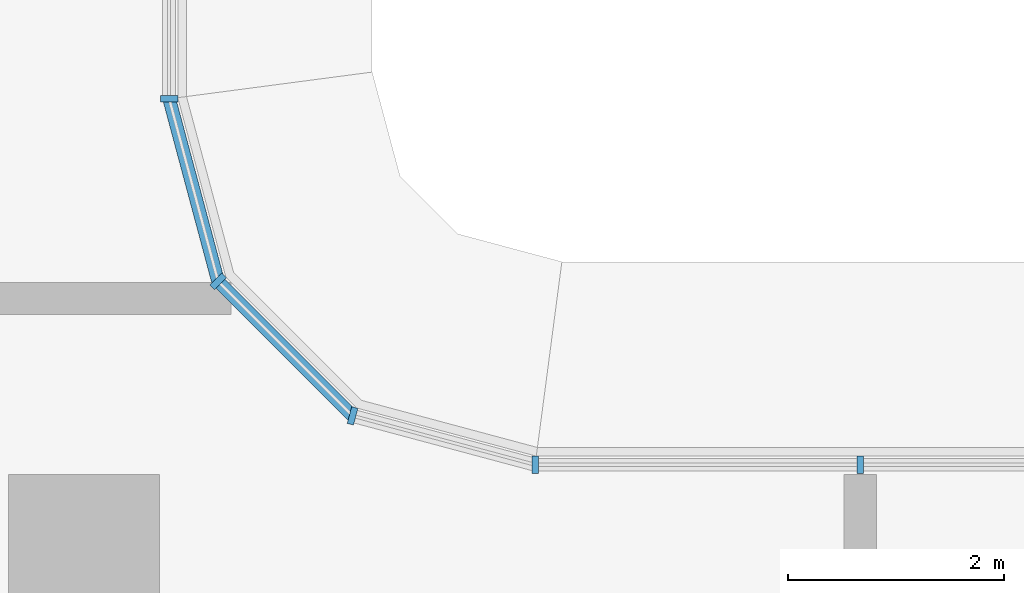
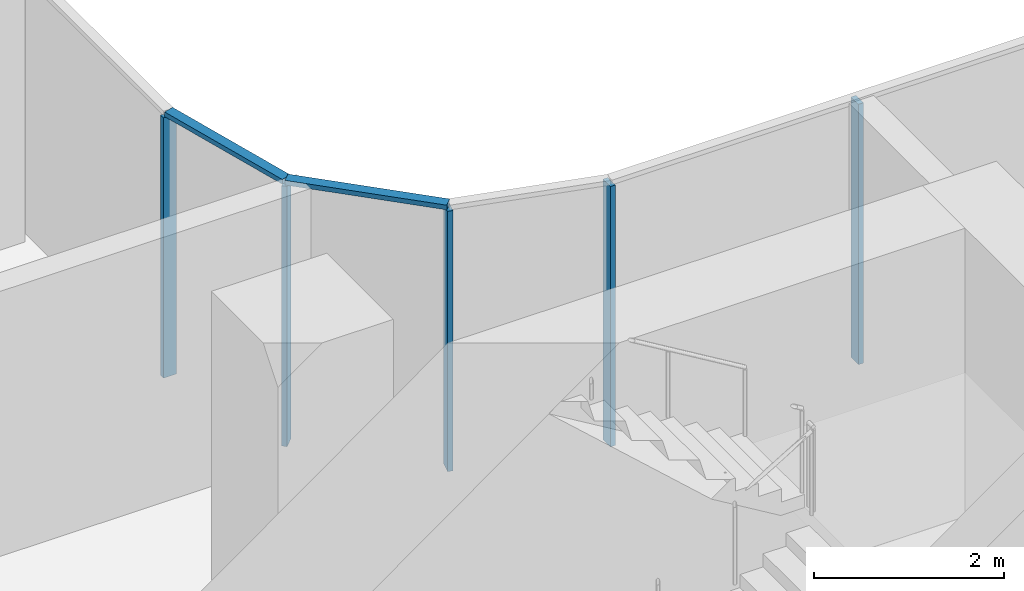
# One storey, part 2 of 36: 7 members, 3 elements without a shape of their own.
"""IFC4 building model written with IfcOpenShell, lengths in metres."""

import ifcopenshell
import ifcopenshell.guid

model = None  # the IFC model being written
_history = None  # IfcOwnerHistory: only IFC2X3 demands one
_inside = {}  # id of a spatial element -> (the spatial element, [elements in it])
_under = {}  # id of a project, library or spatial element -> (it, [spatial elements below it])
_declared = {}  # id of a project -> (the project, [libraries it declares])
_typed = {}  # id of a type object -> (the type object, [elements of that type])
_made_of = {}  # id of a material, layer set ... -> (it, [elements and type objects made of it])


def new_model(schema):
    """Start an empty IFC model of exactly this schema.

    Asked for "IFC4X3", IfcOpenShell would pick the latest addendum, in which some entities
    have other attributes; the version numbers below select the first issue.
    IFC2X3 requires an IfcOwnerHistory on every rooted entity: one is made here for all.
    """
    global model, _history
    if schema == "IFC4X3":
        model = ifcopenshell.file(schema_version=(4, 3, 0, 0))
    else:
        model = ifcopenshell.file(schema=schema)
    _inside.clear()
    _under.clear()
    _declared.clear()
    _typed.clear()
    _made_of.clear()
    _history = None
    if model.schema == "IFC2X3":
        org = make("IfcOrganization", Name="unknown")
        user = make(
            "IfcPersonAndOrganization",
            ThePerson=make("IfcPerson", FamilyName="unknown"),
            TheOrganization=org,
        )
        app = make(
            "IfcApplication",
            ApplicationDeveloper=org,
            Version="unknown",
            ApplicationFullName="unknown",
            ApplicationIdentifier="unknown",
        )
        _history = make(
            "IfcOwnerHistory",
            OwningUser=user,
            OwningApplication=app,
            ChangeAction="ADDED",
            CreationDate=0,
        )
    return model


def make(cls, **values):
    """One entity of the class cls with the attributes given. An attribute that is None is left unset."""
    return model.create_entity(
        cls, **{name: value for name, value in values.items() if value is not None}
    )


def rooted(cls, **values):
    """An entity with a GlobalId (a new one), such as an element, a storey or a relation."""
    return make(cls, GlobalId=ifcopenshell.guid.new(), OwnerHistory=_history, **values)


def si_unit(unit_type, name, prefix=None):
    """IfcSIUnit, for example si_unit("LENGTHUNIT", "METRE", prefix="MILLI")."""
    return make("IfcSIUnit", UnitType=unit_type, Prefix=prefix, Name=name)


def assignment(units):
    """IfcUnitAssignment: the units of a project."""
    return None if units is None else make("IfcUnitAssignment", Units=units)


def point(xyz):
    """IfcCartesianPoint."""
    return None if xyz is None else make("IfcCartesianPoint", Coordinates=xyz)


def direction(xyz):
    """IfcDirection."""
    return None if xyz is None else make("IfcDirection", DirectionRatios=xyz)


def frame(location, z_axis=None, x_axis=None):
    """IfcAxis2Placement3D, a coordinate frame: its origin and axes. An axis left out is left unset."""
    return make(
        "IfcAxis2Placement3D",
        Location=point(location),
        Axis=direction(z_axis),
        RefDirection=direction(x_axis),
    )


def frame_2d(location, x_axis=None):
    """IfcAxis2Placement2D, a coordinate frame in the plane: its origin and x axis."""
    return make(
        "IfcAxis2Placement2D", Location=point(location), RefDirection=direction(x_axis)
    )


def origin():
    """The frame at (0, 0, 0) with its axes left unset."""
    return frame((0.0, 0.0, 0.0))


def origin_2d():
    """The frame at (0, 0) in the plane with its x axis left unset."""
    return frame_2d((0.0, 0.0))


def place(relative_to, where):
    """IfcLocalPlacement: puts the frame where relative to a parent placement (None: the world)."""
    return make(
        "IfcLocalPlacement", PlacementRelTo=relative_to, RelativePlacement=where
    )


def context(
    kind, dimensions, precision=None, world=None, true_north=None, identifier=None
):
    """IfcGeometricRepresentationContext, for example the 3D "Model" context."""
    return make(
        "IfcGeometricRepresentationContext",
        ContextIdentifier=identifier,
        ContextType=kind,
        CoordinateSpaceDimension=dimensions,
        Precision=precision,
        WorldCoordinateSystem=world,
        TrueNorth=true_north,
    )


def subcontext(parent, identifier, kind, view, scale=None):
    """IfcGeometricRepresentationSubContext, for example "Body" below "Model"."""
    return make(
        "IfcGeometricRepresentationSubContext",
        ContextIdentifier=identifier,
        ContextType=kind,
        ParentContext=parent,
        TargetScale=scale,
        TargetView=view,
    )


def project(units=None, contexts=None):
    """IfcProject with its units and contexts."""
    return rooted(
        "IfcProject",
        Name="project",
        RepresentationContexts=contexts,
        UnitsInContext=assignment(units),
    )


def spatial(cls, under=None, at=None, **own):
    """A site, building, storey or space (cls), placed at a placement, below another one or the project."""
    s = rooted(cls, ObjectPlacement=at, **own)
    if under is not None:
        _under.setdefault(under.id(), (under, []))[1].append(s)
    return s


def profile(cls, at=None, kind="AREA", **sizes):
    """A parametric profile (cls). Its sizes go by their IFC names, for example OverallWidth=200.0."""
    return make(cls, ProfileType=kind, Position=at, **sizes)


def rectangle(**sizes):
    """IfcRectangleProfileDef."""
    return profile("IfcRectangleProfileDef", **sizes)


def extrude(swept, where, along, depth):
    """IfcExtrudedAreaSolid: the profile swept, set in the frame where, extruded along a direction by depth."""
    return make(
        "IfcExtrudedAreaSolid",
        SweptArea=swept,
        Position=where,
        ExtrudedDirection=direction(along),
        Depth=depth,
    )


def shape(context_of_items, identifier, shape_type, items):
    """IfcShapeRepresentation: the items that make up one representation, for example the "Body"."""
    return make(
        "IfcShapeRepresentation",
        ContextOfItems=context_of_items,
        RepresentationIdentifier=identifier,
        RepresentationType=shape_type,
        Items=items,
    )


def material(Name=None, Category=None):
    """IfcMaterial."""
    return make("IfcMaterial", Name=Name, Category=Category)


def material_profile(
    of_material, cross_section, Name=None, Category=None, Priority=None
):
    """IfcMaterialProfile: a cross section and its material."""
    return make(
        "IfcMaterialProfile",
        Name=Name,
        Material=of_material,
        Profile=cross_section,
        Priority=Priority,
        Category=Category,
    )


def profile_set(profiles, Name=None, composite=None):
    """IfcMaterialProfileSet."""
    return make(
        "IfcMaterialProfileSet",
        Name=Name,
        MaterialProfiles=profiles,
        CompositeProfile=composite,
    )


def made_of(thing, what):
    """Note that an element or type object is made of a material, layer set ...; save() writes the relation."""
    if what is not None:
        _made_of.setdefault(what.id(), (what, []))[1].append(thing)
    return thing


def type_object(cls, material=None, **own):
    """A type object (cls), such as IfcWallType, which elements share."""
    return made_of(rooted(cls, **own), material)


def element(
    cls,
    number,
    at=None,
    inside=None,
    cuts=None,
    type_object=None,
    material=None,
    context=None,
    identifier="Body",
    shape_type=None,
    held_by="IfcProductDefinitionShape",
    body=None,
    shapes=None,
    **own,
):
    """One element of the class cls, such as IfcWall. Its Tag is "e" and its number.

    at: its placement. inside: the storey or other place that contains it. cuts: it is an
    opening in that element (IfcRelVoidsElement). A single representation is given by context,
    identifier, shape_type and body (its items); several are given by shapes. held_by: the class
    of the entity that holds the representations. save() writes the other relations.
    """
    e = rooted(cls, Tag="e%d" % number, ObjectPlacement=at, **own)
    if body is not None:
        shapes = [shape(context, identifier, shape_type, body)]
    if shapes is not None:
        e.Representation = make(held_by, Representations=shapes)
    if inside is not None:
        _inside.setdefault(inside.id(), (inside, []))[1].append(e)
    if cuts is not None:
        rooted(
            "IfcRelVoidsElement", RelatingBuildingElement=cuts, RelatedOpeningElement=e
        )
    if type_object is not None:
        _typed.setdefault(type_object.id(), (type_object, []))[1].append(e)
    return made_of(e, material)


def aggregate(whole, parts):
    """IfcRelAggregates: a whole, such as a stair, and the parts it consists of."""
    return rooted("IfcRelAggregates", RelatingObject=whole, RelatedObjects=parts)


def save(model, path):
    """Write the relations noted so far, then the file.

    IfcRelAggregates (storeys below a building ...), IfcRelContainedInSpatialStructure (elements
    in a storey), IfcRelDefinesByType, IfcRelAssociatesMaterial and IfcRelDeclares: one each for
    every whole, place, type object, material and project.
    """
    for whole, parts in _under.values():
        aggregate(whole, parts)
    for where, things in _inside.values():
        rooted(
            "IfcRelContainedInSpatialStructure",
            RelatedElements=things,
            RelatingStructure=where,
        )
    for kind, things in _typed.values():
        rooted("IfcRelDefinesByType", RelatedObjects=things, RelatingType=kind)
    for what, things in _made_of.values():
        rooted("IfcRelAssociatesMaterial", RelatedObjects=things, RelatingMaterial=what)
    for by, libraries in _declared.values():
        rooted("IfcRelDeclares", RelatingContext=by, RelatedDefinitions=libraries)
    model.write(path)


model = new_model("IFC4")

# Units and contexts
model_context = context("Model", 3, precision=1e-05, world=origin(), true_north=direction((0.0, 1.0)))
body_context = subcontext(model_context, "Body", "Model", "MODEL_VIEW")
ifc_project = project(units=[si_unit("LENGTHUNIT", "METRE"), si_unit("AREAUNIT", "SQUARE_METRE"), si_unit("VOLUMEUNIT", "CUBIC_METRE"), si_unit("PLANEANGLEUNIT", "RADIAN"), si_unit("MASSUNIT", "GRAM", prefix="KILO")], contexts=[model_context])

# Site, building, storey
site_placement = place(None, origin())
site = spatial("IfcSite", under=ifc_project, at=site_placement, CompositionType="ELEMENT")
building_placement = place(site_placement, origin())
building = spatial("IfcBuilding", under=site, at=building_placement, Name="Ogive Portal Towers", CompositionType="ELEMENT")
storey_placement = place(building_placement, frame((0.0, 0.0, 63.10009765625)))
storey = spatial("IfcBuildingStorey", under=building, at=storey_placement, Name="L14", CompositionType="ELEMENT", Elevation=63.10009765625)

# Curtain wall, members
ifc_material_1 = material(Name="Glass, clear low-iron insulated glazing", Category="glass")
curtain_wall_type = type_object("IfcCurtainWallType", Name="CW FRONT RIBBON 4500", PredefinedType="NOTDEFINED", material=ifc_material_1)
curtain_wall_1_placement = place(storey_placement, origin())
curtain_wall_1 = element("IfcCurtainWall", 1, at=curtain_wall_1_placement, inside=storey, type_object=curtain_wall_type, Name="A:L14:f16:cw0", PredefinedType="NOTDEFINED")
ifc_material_2 = material(Name="Aluminium 6063 anodised", Category="aluminium")
ifc_material_profile_1 = material_profile(ifc_material_2, rectangle(XDim=0.159912109375, YDim=0.06005859375, at=origin_2d()), Name="AL 60x160")
ifc_profile_set_1 = profile_set([ifc_material_profile_1], Name="Aluminium 6063 anodised")
member_type_1 = type_object("IfcMemberType", Name="CW MULLION 60x160", PredefinedType="MULLION", material=ifc_profile_set_1)
member_1_placement = place(storey_placement, frame((58.5, 42.10009765625, 0.0), z_axis=(0.0, 0.0, 1.0), x_axis=(0.0, -1.0, 0.0)))
member_1 = element("IfcMember", 2, at=member_1_placement, type_object=member_type_1, Name="mullion", PredefinedType="MULLION", context=body_context, shape_type="SweptSolid", body=[
    extrude(rectangle(XDim=0.159912109375, YDim=0.06005859375, at=origin_2d()), origin(), (0.0, 0.0, 1.0), 3.33984375),
])
member_2_placement = place(storey_placement, frame((55.489501953125, 42.10009765625, 0.0), z_axis=(0.0, 0.0, 1.0), x_axis=(0.0, -1.0, 0.0)))
member_2 = element("IfcMember", 3, at=member_2_placement, type_object=member_type_1, Name="mullion", PredefinedType="MULLION", context=body_context, shape_type="SweptSolid", body=[
    extrude(rectangle(XDim=0.159912109375, YDim=0.06005859375, at=origin_2d()), origin(), (0.0, 0.0, 1.0), 3.33984375),
])
aggregate(curtain_wall_1, [member_1, member_2])

# Curtain wall, member
curtain_wall_2_placement = place(storey_placement, origin())
curtain_wall_2 = element("IfcCurtainWall", 4, at=curtain_wall_2_placement, inside=storey, type_object=curtain_wall_type, Name="A:L14:f20:cw0", PredefinedType="NOTDEFINED")
member_3_placement = place(storey_placement, frame((52.10009765625, 45.489501953125, 0.0), z_axis=(0.0, 0.0, 1.0), x_axis=(-1.0, 0.0, 0.0)))
member_3 = element("IfcMember", 5, at=member_3_placement, type_object=member_type_1, Name="mullion", PredefinedType="MULLION", context=body_context, shape_type="SweptSolid", body=[
    extrude(rectangle(XDim=0.159912109375, YDim=0.06005859375, at=origin_2d()), origin(), (0.0, 0.0, 1.0), 3.33984375),
])
aggregate(curtain_wall_2, [member_3])

# Curtain wall, members
curtain_wall_3_placement = place(storey_placement, origin())
curtain_wall_3 = element("IfcCurtainWall", 6, at=curtain_wall_3_placement, inside=storey, type_object=curtain_wall_type, Name="A:L14:f17:cwa", PredefinedType="NOTDEFINED")
member_4_placement = place(storey_placement, frame((53.798583984375, 42.552978515625, 0.0), z_axis=(0.0, 0.0, 1.0), x_axis=(-0.258819045103, -0.965925826289, 0.0)))
member_4 = element("IfcMember", 7, at=member_4_placement, type_object=member_type_1, Name="mullion", PredefinedType="MULLION", context=body_context, shape_type="SweptSolid", body=[
    extrude(rectangle(XDim=0.159912109375, YDim=0.06005859375, at=origin_2d()), origin(), (0.0, 0.0, 1.0), 3.33984375),
])
member_5_placement = place(storey_placement, frame((52.552978515625, 43.798583984375, 0.0), z_axis=(0.0, 0.0, 1.0), x_axis=(-0.707106781187, -0.707106781187, 0.0)))
member_5 = element("IfcMember", 8, at=member_5_placement, type_object=member_type_1, Name="mullion", PredefinedType="MULLION", context=body_context, shape_type="SweptSolid", body=[
    extrude(rectangle(XDim=0.159912109375, YDim=0.06005859375, at=origin_2d()), origin(), (0.0, 0.0, 1.0), 3.33984375),
])
ifc_material_profile_2 = material_profile(ifc_material_2, rectangle(XDim=0.1201171875, YDim=0.06005859375, at=origin_2d()), Name="AL 120x60")
ifc_profile_set_2 = profile_set([ifc_material_profile_2], Name="Aluminium 6063 anodised")
member_type_2 = type_object("IfcMemberType", Name="CW TRANSOM 60x120", PredefinedType="USERDEFINED", material=ifc_profile_set_2)
member_6_placement = place(storey_placement, frame((53.798583984375, 42.552978515625, 3.369873046875), z_axis=(-0.707106781187, 0.707106781187, 0.0), x_axis=(-0.707106781187, -0.707106781187, 0.0)))
member_6 = element("IfcMember", 9, at=member_6_placement, type_object=member_type_2, Name="transom", ObjectType="TRANSOM", PredefinedType="USERDEFINED", context=body_context, shape_type="SweptSolid", body=[
    extrude(rectangle(XDim=0.1201171875, YDim=0.06005859375, at=origin_2d()), origin(), (0.0, 0.0, 1.0), 1.761474609375),
])
member_7_placement = place(storey_placement, frame((52.552978515625, 43.798583984375, 3.369873046875), z_axis=(-0.258712847425, 0.965954275614, 0.0), x_axis=(-0.965954275614, -0.258712847425, 0.0)))
member_7 = element("IfcMember", 10, at=member_7_placement, type_object=member_type_2, Name="transom", ObjectType="TRANSOM", PredefinedType="USERDEFINED", context=body_context, shape_type="SweptSolid", body=[
    extrude(rectangle(XDim=0.1201171875, YDim=0.06005859375, at=origin_2d()), origin(), (0.0, 0.0, 1.0), 1.75048828125),
])
aggregate(curtain_wall_3, [member_6, member_7, member_4, member_5])

save(model, "model.ifc")
